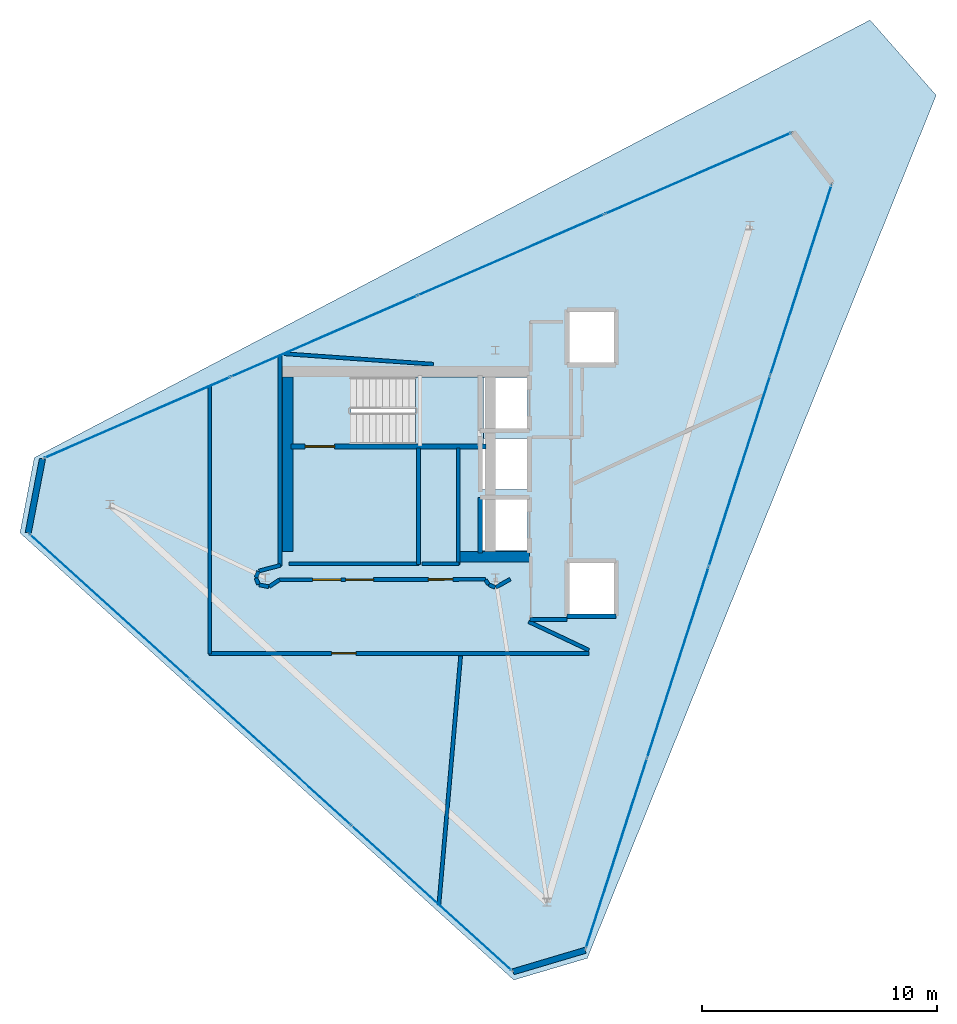
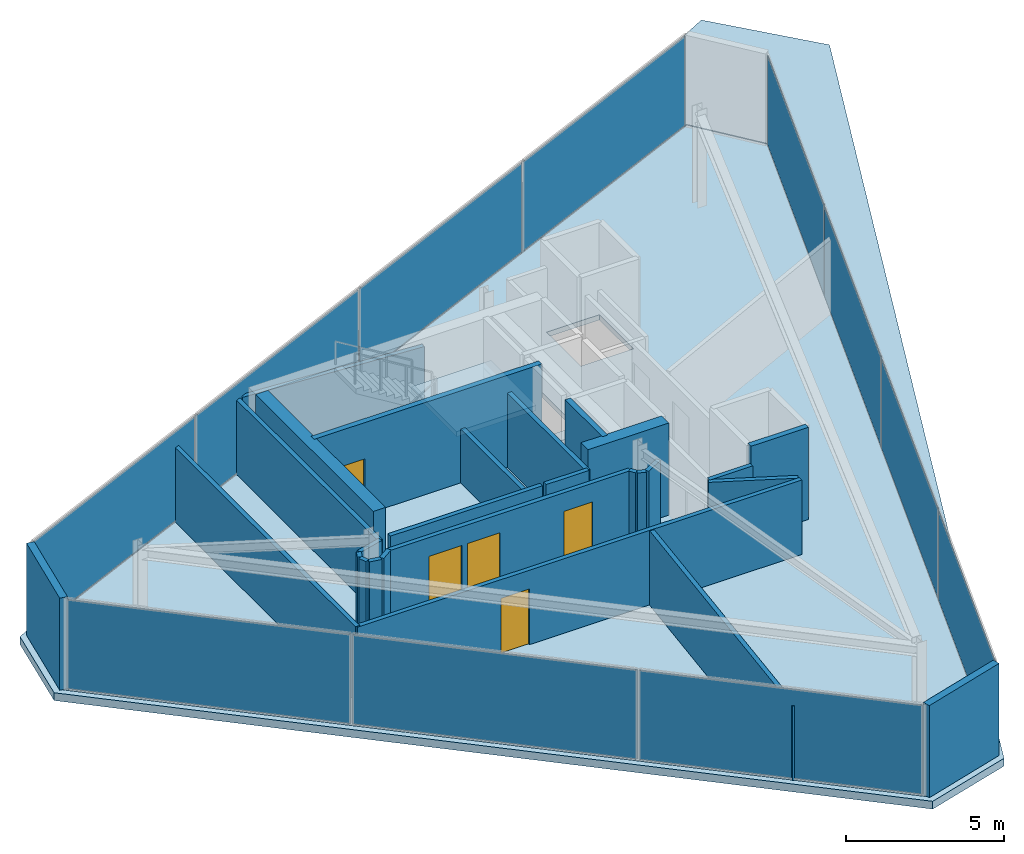
# One storey, part 12 of 14: 27 walls, 11 plates, 5 doors, 3 slabs, 5 openings, 4 elements without a shape of their own.
"""IFC4 building model written with IfcOpenShell, lengths in metres."""

from ifc_helpers import new_model, si_unit, direction, frame, frame_2d, origin, origin_2d, place, context, subcontext, project, spatial, polyline, rectangle, outline, extrude, material, layer, layer_set, type_object, element, fill, aggregate, save


model = new_model("IFC4")

# Units and contexts
model_context = context("Model", 3, precision=1e-05, world=origin(), true_north=direction((0.0, 1.0)))
body_context = subcontext(model_context, "Body", "Model", "MODEL_VIEW")
ifc_project = project(units=[si_unit("LENGTHUNIT", "METRE"), si_unit("AREAUNIT", "SQUARE_METRE"), si_unit("VOLUMEUNIT", "CUBIC_METRE"), si_unit("PLANEANGLEUNIT", "RADIAN"), si_unit("MASSUNIT", "GRAM", prefix="KILO")], contexts=[model_context])

# Site, building, storey
site_placement = place(None, origin())
site = spatial("IfcSite", under=ifc_project, at=site_placement, CompositionType="ELEMENT")
building_placement = place(site_placement, origin())
building = spatial("IfcBuilding", under=site, at=building_placement, Name="Qianvela Tower", CompositionType="ELEMENT")
storey_placement = place(building_placement, frame((0.0, 0.0, 356.300048828125)))
storey = spatial("IfcBuildingStorey", under=building, at=storey_placement, Name="L92", CompositionType="ELEMENT", Elevation=356.300048828125)

# Curtain wall, plates
ifc_material_1 = material(Name="Anodised Architectural Aluminium and Low-E Glass", Category="aluminium")
ifc_layer_1 = layer(ifc_material_1, 0.159912109375)
ifc_layer_set_1 = layer_set([ifc_layer_1], Name="Anodised Architectural Aluminium and Low-E Glass")
curtain_wall_type = type_object("IfcCurtainWallType", Name="CW-CROWN", PredefinedType="USERDEFINED", material=ifc_layer_set_1)
curtain_wall_1_placement = place(storey_placement, origin())
curtain_wall_1 = element("IfcCurtainWall", 1, at=curtain_wall_1_placement, inside=storey, type_object=curtain_wall_type, Name="L92 CW-CROWN Curtain Wall 02", ObjectType="CURTAIN_WALL_SYSTEM", PredefinedType="USERDEFINED")
ifc_material_2 = material(Name="Double-Silver Low-E Insulated Glass", Category="glass")
ifc_layer_2 = layer(ifc_material_2, 0.030029296875)
ifc_layer_set_2 = layer_set([ifc_layer_2], Name="Double-Silver Low-E Insulated Glass")
plate_type = type_object("IfcPlateType", Name="CW-CROWN-PNL", PredefinedType="CURTAIN_PANEL", material=ifc_layer_set_2)
plate_1_placement = place(storey_placement, frame((47.029541015625, 41.082763671875, 0.06005859375), z_axis=(0.0, 0.0, 1.0), x_axis=(-0.916857309159, -0.399215073165, 0.0)))
plate_1 = element("IfcPlate", 2, at=plate_1_placement, type_object=plate_type, Name="CW-8 panel 1.1", PredefinedType="CURTAIN_PANEL", context=body_context, shape_type="SweptSolid", body=[
    extrude(rectangle(XDim=8.596923828125, YDim=0.030029296875, at=origin_2d()), origin(), (0.0, 0.0, 1.0), 3.429931640625),
])
plate_2_placement = place(storey_placement, frame((39.072998046875, 37.618408203125, 0.06005859375), z_axis=(0.0, 0.0, 1.0), x_axis=(-0.916857309159, -0.399215073165, 0.0)))
plate_2 = element("IfcPlate", 3, at=plate_2_placement, type_object=plate_type, Name="CW-8 panel 2.1", PredefinedType="CURTAIN_PANEL", context=body_context, shape_type="SweptSolid", body=[
    extrude(rectangle(XDim=8.62939453125, YDim=0.030029296875, at=origin_2d()), origin(), (0.0, 0.0, 1.0), 3.429931640625),
])
plate_3_placement = place(storey_placement, frame((31.1015625, 34.1474609375, 0.06005859375), z_axis=(0.0, 0.0, 1.0), x_axis=(-0.916857309159, -0.399215073165, 0.0)))
plate_3 = element("IfcPlate", 4, at=plate_3_placement, type_object=plate_type, Name="CW-8 panel 3.1", PredefinedType="CURTAIN_PANEL", context=body_context, shape_type="SweptSolid", body=[
    extrude(rectangle(XDim=8.62939453125, YDim=0.030029296875, at=origin_2d()), origin(), (0.0, 0.0, 1.0), 3.429931640625),
])
plate_4_placement = place(storey_placement, frame((23.14501953125, 30.682861328125, 0.06005859375), z_axis=(0.0, 0.0, 1.0), x_axis=(-0.916857309159, -0.399215073165, 0.0)))
plate_4 = element("IfcPlate", 5, at=plate_4_placement, type_object=plate_type, Name="CW-8 panel 4.1", PredefinedType="CURTAIN_PANEL", context=body_context, shape_type="SweptSolid", body=[
    extrude(rectangle(XDim=8.596923828125, YDim=0.030029296875, at=origin_2d()), origin(), (0.0, 0.0, 1.0), 3.429931640625),
])
aggregate(curtain_wall_1, [plate_1, plate_2, plate_3, plate_4])

curtain_wall_2_placement = place(storey_placement, origin())
curtain_wall_2 = element("IfcCurtainWall", 6, at=curtain_wall_2_placement, inside=storey, type_object=curtain_wall_type, Name="L92 CW-CROWN Curtain Wall 04", ObjectType="CURTAIN_WALL_SYSTEM", PredefinedType="USERDEFINED")
plate_5_placement = place(storey_placement, frame((21.97216796875, 22.61865234375, 0.06005859375), z_axis=(0.0, 0.0, 1.0), x_axis=(0.741274513162, -0.671201978645, 0.0)))
plate_5 = element("IfcPlate", 7, at=plate_5_placement, type_object=plate_type, Name="CW-8 panel 1.1", PredefinedType="CURTAIN_PANEL", context=body_context, shape_type="SweptSolid", body=[
    extrude(rectangle(XDim=9.15966796875, YDim=0.030029296875, at=origin_2d()), origin(), (0.0, 0.0, 1.0), 3.429931640625),
])
plate_6_placement = place(storey_placement, frame((28.822021484375, 16.416259765625, 0.06005859375), z_axis=(0.0, 0.0, 1.0), x_axis=(0.741274513162, -0.671201978645, 0.0)))
plate_6 = element("IfcPlate", 8, at=plate_6_placement, type_object=plate_type, Name="CW-8 panel 2.1", PredefinedType="CURTAIN_PANEL", context=body_context, shape_type="SweptSolid", body=[
    extrude(rectangle(XDim=9.192138671875, YDim=0.030029296875, at=origin_2d()), origin(), (0.0, 0.0, 1.0), 3.429931640625),
])
plate_7_placement = place(storey_placement, frame((35.672119140625, 10.213623046875, 0.06005859375), z_axis=(0.0, 0.0, 1.0), x_axis=(0.741274513162, -0.671201978645, 0.0)))
plate_7 = element("IfcPlate", 9, at=plate_7_placement, type_object=plate_type, Name="CW-8 panel 3.1", PredefinedType="CURTAIN_PANEL", context=body_context, shape_type="SweptSolid", body=[
    extrude(rectangle(XDim=9.15966796875, YDim=0.030029296875, at=origin_2d()), origin(), (0.0, 0.0, 1.0), 3.429931640625),
])
aggregate(curtain_wall_2, [plate_5, plate_6, plate_7])

curtain_wall_3_placement = place(storey_placement, origin())
curtain_wall_3 = element("IfcCurtainWall", 10, at=curtain_wall_3_placement, inside=storey, type_object=curtain_wall_type, Name="L92 CW-CROWN Curtain Wall 06", ObjectType="CURTAIN_WALL_SYSTEM", PredefinedType="USERDEFINED")
plate_8_placement = place(storey_placement, frame((43.56005859375, 12.115966796875, 0.06005859375), z_axis=(0.0, 0.0, 1.0), x_axis=(0.306426077572, 0.951894457902, 0.0)))
plate_8 = element("IfcPlate", 11, at=plate_8_placement, type_object=plate_type, Name="CW-8 panel 1.1", PredefinedType="CURTAIN_PANEL", context=body_context, shape_type="SweptSolid", body=[
    extrude(rectangle(XDim=8.464111328125, YDim=0.030029296875, at=origin_2d()), origin(), (0.0, 0.0, 1.0), 3.429931640625),
])
plate_9_placement = place(storey_placement, frame((46.178466796875, 20.250244140625, 0.06005859375), z_axis=(0.0, 0.0, 1.0), x_axis=(0.306426077572, 0.951894457902, 0.0)))
plate_9 = element("IfcPlate", 12, at=plate_9_placement, type_object=plate_type, Name="CW-8 panel 2.1", PredefinedType="CURTAIN_PANEL", context=body_context, shape_type="SweptSolid", body=[
    extrude(rectangle(XDim=8.49658203125, YDim=0.030029296875, at=origin_2d()), origin(), (0.0, 0.0, 1.0), 3.429931640625),
])
plate_10_placement = place(storey_placement, frame((48.802001953125, 28.400146484375, 0.06005859375), z_axis=(0.0, 0.0, 1.0), x_axis=(0.306426077572, 0.951894457902, 0.0)))
plate_10 = element("IfcPlate", 13, at=plate_10_placement, type_object=plate_type, Name="CW-8 panel 3.1", PredefinedType="CURTAIN_PANEL", context=body_context, shape_type="SweptSolid", body=[
    extrude(rectangle(XDim=8.49658203125, YDim=0.030029296875, at=origin_2d()), origin(), (0.0, 0.0, 1.0), 3.429931640625),
])
plate_11_placement = place(storey_placement, frame((51.420654296875, 36.534423828125, 0.06005859375), z_axis=(0.0, 0.0, 1.0), x_axis=(0.306426077572, 0.951894457902, 0.0)))
plate_11 = element("IfcPlate", 14, at=plate_11_placement, type_object=plate_type, Name="CW-8 panel 4.1", PredefinedType="CURTAIN_PANEL", context=body_context, shape_type="SweptSolid", body=[
    extrude(rectangle(XDim=8.464111328125, YDim=0.030029296875, at=origin_2d()), origin(), (0.0, 0.0, 1.0), 3.429931640625),
])
aggregate(curtain_wall_3, [plate_8, plate_9, plate_10, plate_11])

# Slabs
ifc_material_3 = material(Name="Concrete C40", Category="concrete")
ifc_layer_3 = layer(ifc_material_3, 0.199951171875)
ifc_layer_set_3 = layer_set([ifc_layer_3], Name="Concrete C40")
slab_type_1 = type_object("IfcSlabType", Name="SL-CROWN-200", PredefinedType="FLOOR", material=ifc_layer_set_3)
slab_1_placement = place(storey_placement, frame((0.0, 0.0, -0.199951171875)))
element("IfcSlab", 15, at=slab_1_placement, inside=storey, type_object=slab_type_1, Name="L92 Composite Structural Floor Slab", PredefinedType="FLOOR", context=body_context, shape_type="SweptSolid", body=[
    extrude(outline(polyline([(52.752685546875, 40.67236328125), (51.076171875, 42.8447265625), (19.098388671875, 28.9208984375), (18.491943359375, 25.769775390625), (39.152099609375, 7.0625), (42.22802734375, 7.977783203125), (52.752685546875, 40.67236328125)]), holes=[polyline([(41.5400390625, 24.47998046875), (41.5400390625, 22.320068359375), (43.4599609375, 22.320068359375), (43.4599609375, 24.47998046875), (41.5400390625, 24.47998046875)]), polyline([(39.760009765625, 27.179931640625), (37.840087890625, 27.179931640625), (37.840087890625, 25.02001953125), (39.760009765625, 25.02001953125), (39.760009765625, 27.179931640625)]), polyline([(39.760009765625, 29.780029296875), (37.89990234375, 29.780029296875), (37.89990234375, 30.219970703125), (39.760009765625, 30.219970703125), (39.760009765625, 32.3798828125), (37.89990234375, 32.3798828125), (37.89990234375, 32.39990234375), (32.25, 32.39990234375), (32.25, 29.5400390625), (37.840087890625, 29.5400390625), (37.840087890625, 27.6201171875), (39.760009765625, 27.6201171875), (39.760009765625, 29.780029296875)]), polyline([(43.4599609375, 35.179931640625), (41.5400390625, 35.179931640625), (41.5400390625, 33.02001953125), (43.4599609375, 33.02001953125), (43.4599609375, 35.179931640625)])]), origin(), (0.0, 0.0, 1.0), 0.199951171875),
])
ifc_material_4 = material(Name="Concrete C40", Category="concrete")
ifc_layer_4 = layer(ifc_material_4, 0.300048828125)
ifc_layer_set_4 = layer_set([ifc_layer_4], Name="Concrete C40")
slab_type_2 = type_object("IfcSlabType", Name="SL-POD-ROOF-300", PredefinedType="ROOF", material=ifc_layer_set_4)
slab_2_placement = place(storey_placement, frame((0.0, 0.0, -0.300048828125)))
element("IfcSlab", 16, at=slab_2_placement, inside=storey, type_object=slab_type_2, Name="L92 Sky-Lounge Setback Structural Roof Slab 1", PredefinedType="ROOF", context=body_context, shape_type="SweptSolid", body=[
    extrude(outline(polyline([(57.185302734375, 44.41455078125), (54.3642578125, 47.62353515625), (18.752685546875, 28.975830078125), (18.141845703125, 25.765625), (39.1826171875, 6.7138671875), (42.31689453125, 7.639404296875), (57.185302734375, 44.41455078125)]), holes=[polyline([(52.777099609375, 40.6669921875), (52.777587890625, 40.66943359375), (52.777587890625, 40.671875), (52.777587890625, 40.67431640625), (52.77734375, 40.6767578125), (52.77685546875, 40.67919921875), (52.77587890625, 40.681396484375), (52.775146484375, 40.68359375), (52.77392578125, 40.685791015625), (52.7724609375, 40.687744140625), (51.095947265625, 42.860107421875), (51.09423828125, 42.86181640625), (51.09228515625, 42.86376953125), (51.09033203125, 42.865234375), (51.088134765625, 42.86669921875), (51.0859375, 42.86767578125), (51.08349609375, 42.86865234375), (51.0810546875, 42.869140625), (51.07861328125, 42.86962890625), (51.075927734375, 42.86962890625), (51.073486328125, 42.86962890625), (51.071044921875, 42.869140625), (51.068603515625, 42.868408203125), (51.066162109375, 42.86767578125), (19.08837890625, 28.94384765625), (19.086181640625, 28.94287109375), (19.084228515625, 28.941650390625), (19.08251953125, 28.940185546875), (19.08056640625, 28.9384765625), (19.0791015625, 28.9365234375), (19.07763671875, 28.934814453125), (19.076416015625, 28.9326171875), (19.0751953125, 28.930419921875), (19.074462890625, 28.927978515625), (19.073974609375, 28.92578125), (18.46728515625, 25.7744140625), (18.467041015625, 25.77197265625), (18.466796875, 25.769287109375), (18.467041015625, 25.766845703125), (18.467529296875, 25.764404296875), (18.46826171875, 25.761962890625), (18.468994140625, 25.759521484375), (18.47021484375, 25.757080078125), (18.4716796875, 25.755126953125), (18.473388671875, 25.753173828125), (18.47509765625, 25.751220703125), (39.135498046875, 7.0439453125), (39.137451171875, 7.042236328125), (39.139404296875, 7.041015625), (39.141845703125, 7.039794921875), (39.144287109375, 7.038818359375), (39.146728515625, 7.0380859375), (39.149169921875, 7.03759765625), (39.151611328125, 7.03759765625), (39.154296875, 7.03759765625), (39.15673828125, 7.037841796875), (39.1591796875, 7.03857421875), (42.235107421875, 7.953857421875), (42.2373046875, 7.95458984375), (42.239501953125, 7.955810546875), (42.24169921875, 7.95703125), (42.24365234375, 7.95849609375), (42.24560546875, 7.9599609375), (42.2470703125, 7.9619140625), (42.24853515625, 7.963623046875), (42.25, 7.9658203125), (42.2509765625, 7.968017578125), (42.251708984375, 7.97021484375), (52.776611328125, 40.664794921875), (52.777099609375, 40.6669921875)])]), origin(), (0.0, 0.0, 1.0), 0.300048828125),
])

# Stair, slab
ifc_material_5 = material(Name="Concrete C40", Category="concrete")
stair_type = type_object("IfcStairType", Name="ST-DOGLEG-1350-R170-N22", PredefinedType="HALF_TURN_STAIR", material=ifc_material_5)
stair_placement = place(storey_placement, origin())
stair = element("IfcStair", 17, at=stair_placement, inside=storey, type_object=stair_type, Name="L92 Smoke-Proof Core Stair ST-1", PredefinedType="HALF_TURN_STAIR")
ifc_material_6 = material(Name="Concrete C40", Category="concrete")
ifc_layer_5 = layer(ifc_material_6, 0.199951171875)
ifc_layer_set_5 = layer_set([ifc_layer_5], Name="Concrete C40")
slab_type_3 = type_object("IfcSlabType", Name="SL-STAIR-LANDING-200", PredefinedType="LANDING", material=ifc_layer_set_5)
slab_3_placement = place(storey_placement, frame((0.0, 0.0, 1.675048828125)))
slab_3 = element("IfcSlab", 18, at=slab_3_placement, type_object=slab_type_3, Name="ST-1 landing 1", PredefinedType="LANDING", context=body_context, shape_type="SweptSolid", body=[
    extrude(outline(polyline([(35.0, 29.5400390625), (37.89990234375, 29.5400390625), (37.89990234375, 32.39990234375), (35.0, 32.39990234375), (35.0, 29.5400390625)])), origin(), (0.0, 0.0, 1.0), 0.199951171875),
])
aggregate(stair, [slab_3])

# Walls
ifc_material_7 = material(Name="Terracotta Cladding on Concrete C40", Category="masonry")
ifc_layer_6 = layer(ifc_material_7, 0.260009765625)
ifc_layer_set_6 = layer_set([ifc_layer_6], Name="Terracotta Cladding on Concrete C40")
wall_type_1 = type_object("IfcWallType", Name="TERRACOTTA-WALL-260", PredefinedType="SOLIDWALL", material=ifc_layer_set_6)
wall_1_placement = place(storey_placement, frame((19.098388671875, 28.9208984375, 0.0), z_axis=(0.0, 0.0, 1.0), x_axis=(-0.188985662005, -0.981979846818, 0.0)))
element("IfcWall", 19, at=wall_1_placement, inside=storey, type_object=wall_type_1, Name="L92 Crown Terracotta Cladding Wall 3", PredefinedType="SOLIDWALL", context=body_context, shape_type="SweptSolid", body=[
    extrude(rectangle(XDim=3.208984375, YDim=0.260009765625, at=frame_2d((1.6044921875, 0.0))), origin(), (0.0, 0.0, 1.0), 3.550048828125),
])
wall_2_placement = place(storey_placement, frame((39.152099609375, 7.0625, 0.0), z_axis=(0.0, 0.0, 1.0), x_axis=(0.958466686006, 0.285204508758, 0.0)))
element("IfcWall", 20, at=wall_2_placement, inside=storey, type_object=wall_type_1, Name="L92 Crown Terracotta Cladding Wall 5", PredefinedType="SOLIDWALL", context=body_context, shape_type="SweptSolid", body=[
    extrude(rectangle(XDim=3.209228515625, YDim=0.260009765625, at=frame_2d((1.6044921875, 0.0))), origin(), (0.0, 0.0, 1.0), 3.550048828125),
])
ifc_material_8 = material(Name="Concrete C50", Category="concrete")
ifc_layer_7 = layer(ifc_material_8, 0.449951171875)
ifc_layer_set_7 = layer_set([ifc_layer_7], Name="Concrete C50")
wall_type_2 = type_object("IfcWallType", Name="WT-CORE-450", PredefinedType="SHEAR", material=ifc_layer_set_7)
wall_3_placement = place(storey_placement, frame((36.89990234375, 24.7548828125, 0.0), z_axis=(0.0, 0.0, 1.0), x_axis=(1.0, 0.0, 0.0)))
element("IfcWall", 21, at=wall_3_placement, inside=storey, type_object=wall_type_2, Name="L92 South Core Shear Wall", PredefinedType="SHEAR", context=body_context, shape_type="SweptSolid", body=[
    extrude(rectangle(XDim=2.9501953125, YDim=0.449951171875, at=frame_2d((1.47509765625, 0.0))), origin(), (0.0, 0.0, 1.0), 3.550048828125),
])
wall_4_placement = place(storey_placement, frame((29.554931640625, 24.97998046875, 0.0), z_axis=(0.0, 0.0, 1.0), x_axis=(0.0, 1.0, 0.0)))
element("IfcWall", 22, at=wall_4_placement, inside=storey, type_object=wall_type_2, Name="L92 West Core Shear Wall", PredefinedType="SHEAR", context=body_context, shape_type="SweptSolid", body=[
    extrude(rectangle(XDim=7.43994140625, YDim=0.449951171875, at=frame_2d((3.719970703125, 0.0))), origin(), (0.0, 0.0, 1.0), 3.550048828125),
])
ifc_material_9 = material(Name="Fire-Rated Gypsum and Concrete Block", Category="concrete")
ifc_layer_8 = layer(ifc_material_9, 0.159912109375)
ifc_layer_set_8 = layer_set([ifc_layer_8], Name="Fire-Rated Gypsum and Concrete Block")
wall_type_3 = type_object("IfcWallType", Name="WT-CORR-160", PredefinedType="PARTITIONING", material=ifc_layer_set_8)
wall_5_placement = place(storey_placement, frame((35.14990234375, 24.450927734375, 0.0), z_axis=(0.0, 0.0, 1.0), x_axis=(-1.0, 0.0, 0.0)))
element("IfcWall", 23, at=wall_5_placement, inside=storey, type_object=wall_type_3, Name="L92 Partition 1", PredefinedType="PARTITIONING", context=body_context, shape_type="SweptSolid", body=[
    extrude(rectangle(XDim=5.5498046875, YDim=0.159912109375, at=frame_2d((2.77490234375, 0.0))), origin(), (0.0, 0.0, 1.0), 2.869873046875),
])
wall_6_placement = place(storey_placement, frame((35.118896484375, 29.3798828125, 0.0), z_axis=(0.0, 0.0, 1.0), x_axis=(0.0, -1.0, 0.0)))
element("IfcWall", 24, at=wall_6_placement, inside=storey, type_object=wall_type_3, Name="L92 Partition 4", PredefinedType="PARTITIONING", context=body_context, shape_type="SweptSolid", body=[
    extrude(rectangle(XDim=4.9599609375, YDim=0.159912109375, at=frame_2d((2.47998046875, 0.0))), origin(), (0.0, 0.0, 1.0), 2.079833984375),
])
for number, where, z_axis, x_axis, name in (
    (25, (41.449951171875, 22.0810546875, 0.0), (0.0, 0.0, 1.0), (-1.0, 0.0, 0.0), "L92 Partition 7 seg 1"),
    (26, (36.85009765625, 24.450927734375, 0.0), (0.0, 0.0, 1.0), (-1.0, 0.0, 0.0), "L92 Partition 13"),
):
    element("IfcWall", number, at=place(storey_placement, frame(where, z_axis=z_axis, x_axis=x_axis)), inside=storey, type_object=wall_type_3, Name=name, PredefinedType="PARTITIONING", context=body_context, shape_type="SweptSolid", body=[
        extrude(rectangle(XDim=1.570068359375, YDim=0.159912109375, at=frame_2d((0.78515625, 0.0))), origin(), (0.0, 0.0, 1.0), 2.869873046875),
    ])
wall_7_placement = place(storey_placement, frame((36.819091796875, 29.3798828125, 0.0), z_axis=(0.0, 0.0, 1.0), x_axis=(0.0, -1.0, 0.0)))
element("IfcWall", 27, at=wall_7_placement, inside=storey, type_object=wall_type_3, Name="L92 Partition 16", PredefinedType="PARTITIONING", context=body_context, shape_type="SweptSolid", body=[
    extrude(rectangle(XDim=4.9599609375, YDim=0.159912109375, at=frame_2d((2.47998046875, 0.0))), origin(), (0.0, 0.0, 1.0), 2.869873046875),
])
wall_8_placement = place(storey_placement, frame((29.2421875, 24.38427734375, 0.0), z_axis=(0.0, 0.0, 1.0), x_axis=(-0.967554205956, -0.252663528309, 0.0)))
element("IfcWall", 28, at=wall_8_placement, inside=storey, type_object=wall_type_3, Name="L92 Partition 17", PredefinedType="PARTITIONING", context=body_context, shape_type="SweptSolid", body=[
    extrude(rectangle(XDim=0.946044921875, YDim=0.159912109375, at=frame_2d((0.47314453125, 0.0))), origin(), (0.0, 0.0, 1.0), 2.869873046875),
])
for number, where, z_axis, x_axis, name in (
    (29, (28.30615234375, 24.126953125, 0.0), (0.0, 0.0, 1.0), (-0.382802560388, -0.92383017907, 0.0), "L92 Partition 18"),
    (30, (28.1962890625, 23.838134765625, 0.0), (0.0, 0.0, 1.0), (0.382802560388, -0.92383017907, 0.0), "L92 Partition 19"),
):
    element("IfcWall", number, at=place(storey_placement, frame(where, z_axis=z_axis, x_axis=x_axis)), inside=storey, type_object=wall_type_3, Name=name, PredefinedType="PARTITIONING", context=body_context, shape_type="SweptSolid", body=[
        extrude(rectangle(XDim=0.287109375, YDim=0.159912109375, at=frame_2d((0.1435546875, 0.0))), origin(), (0.0, 0.0, 1.0), 2.869873046875),
    ])
wall_9_placement = place(storey_placement, frame((28.328857421875, 23.554443359375, 0.0), z_axis=(0.0, 0.0, 1.0), x_axis=(0.980782960085, -0.195101986683, 0.0)))
element("IfcWall", 31, at=wall_9_placement, inside=storey, type_object=wall_type_3, Name="L92 Partition 20", PredefinedType="PARTITIONING", context=body_context, shape_type="SweptSolid", body=[
    extrude(rectangle(XDim=0.416748046875, YDim=0.159912109375, at=frame_2d((0.20849609375, 0.0))), origin(), (0.0, 0.0, 1.0), 2.869873046875),
])
wall_10_placement = place(storey_placement, frame((28.7607421875, 23.477783203125, 0.0), z_axis=(0.0, 0.0, 1.0), x_axis=(0.831482899293, 0.555550347118, 0.0)))
element("IfcWall", 32, at=wall_10_placement, inside=storey, type_object=wall_type_3, Name="L92 Partition 21", PredefinedType="PARTITIONING", context=body_context, shape_type="SweptSolid", body=[
    extrude(rectangle(XDim=0.530029296875, YDim=0.159912109375, at=frame_2d((0.26513671875, 0.0))), origin(), (0.0, 0.0, 1.0), 2.869873046875),
])

# Wall, openings, doors
wall_11_placement = place(storey_placement, frame((29.184326171875, 23.76708984375, 0.0), z_axis=(0.0, 0.0, 1.0), x_axis=(0.999996878137, 0.002498742824, 0.0)))
wall_11 = element("IfcWall", 33, at=wall_11_placement, inside=storey, type_object=wall_type_3, Name="L92 Partition 22", PredefinedType="PARTITIONING", context=body_context, shape_type="SweptSolid", body=[
    extrude(rectangle(XDim=8.79345703125, YDim=0.159912109375, at=frame_2d((4.396728515625, 0.0))), origin(), (0.0, 0.0, 1.0), 2.869873046875),
])
opening_1_placement = place(wall_11_placement, frame((2.8310546875, 0.0, 0.0)))
opening_1 = element("IfcOpeningElement", 34, at=opening_1_placement, cuts=wall_11, Name="Opening D-LB1", PredefinedType="OPENING", context=body_context, shape_type="SweptSolid", body=[
    extrude(rectangle(XDim=1.199951171875, YDim=2.14990234375, at=frame_2d((0.60009765625, 1.074951171875))), frame((0.0, 0.08984375, 0.0), z_axis=(0.0, -1.0, 0.0), x_axis=(1.0, 0.0, 0.0)), (0.0, 0.0, 1.0), 0.179931640625),
])
opening_2_placement = place(wall_11_placement, frame((6.35888671875, 0.0, 0.0)))
opening_2 = element("IfcOpeningElement", 35, at=opening_2_placement, cuts=wall_11, Name="Opening D-PL1", PredefinedType="OPENING", context=body_context, shape_type="SweptSolid", body=[
    extrude(rectangle(XDim=1.050048828125, YDim=2.14990234375, at=frame_2d((0.52490234375, 1.074951171875))), frame((0.0, 0.08984375, 0.0), z_axis=(0.0, -1.0, 0.0), x_axis=(1.0, 0.0, 0.0)), (0.0, 0.0, 1.0), 0.179931640625),
])
opening_3_placement = place(wall_11_placement, frame((1.430908203125, 0.0, 0.0)))
opening_3 = element("IfcOpeningElement", 36, at=opening_3_placement, cuts=wall_11, Name="Opening D-LB1", PredefinedType="OPENING", context=body_context, shape_type="SweptSolid", body=[
    extrude(rectangle(XDim=1.199951171875, YDim=2.14990234375, at=frame_2d((0.60009765625, 1.074951171875))), frame((0.0, 0.08984375, 0.0), z_axis=(0.0, -1.0, 0.0), x_axis=(1.0, 0.0, 0.0)), (0.0, 0.0, 1.0), 0.179931640625),
])
ifc_material_10 = material(Name="Glazed Fire-Rated Steel Frame", Category="steel")
door_type_1 = type_object("IfcDoorType", Name="DT-LOBBY-FD90", OperationType="NOTDEFINED", PredefinedType="DOOR", material=ifc_material_10)
door_1_placement = place(opening_1_placement, origin())
door_1 = element("IfcDoor", 37, at=door_1_placement, inside=storey, type_object=door_type_1, Name="L92 Door L92 Firefighting Lobby North to L92 Crown Maintenance Corridor", OperationType="SINGLE_SWING_RIGHT", OverallHeight=2.14990234375, OverallWidth=1.199951171875, PredefinedType="DOOR", context=body_context, shape_type="SweptSolid", body=[
    extrude(rectangle(XDim=1.199951171875, YDim=2.14990234375, at=frame_2d((0.60009765625, 1.074951171875))), frame((0.0, 0.02490234375, 0.0), z_axis=(0.0, -1.0, 0.0), x_axis=(1.0, 0.0, 0.0)), (0.0, 0.0, 1.0), 0.050048828125),
])
fill(opening_1, door_1)
door_2_placement = place(opening_3_placement, origin())
door_2 = element("IfcDoor", 38, at=door_2_placement, inside=storey, type_object=door_type_1, Name="L92 Door L92 Firefighting Lobby North to L92 Crown Maintenance Corridor", OperationType="SINGLE_SWING_LEFT", OverallHeight=2.14990234375, OverallWidth=1.199951171875, PredefinedType="DOOR", context=body_context, shape_type="SweptSolid", body=[
    extrude(rectangle(XDim=1.199951171875, YDim=2.14990234375, at=frame_2d((0.60009765625, 1.074951171875))), frame((0.0, 0.02490234375, 0.0), z_axis=(0.0, -1.0, 0.0), x_axis=(1.0, 0.0, 0.0)), (0.0, 0.0, 1.0), 0.050048828125),
])
fill(opening_3, door_2)
ifc_material_11 = material(Name="Insulated Steel Fire Door Q355B", Category="steel")
door_type_2 = type_object("IfcDoorType", Name="DT-PLANT-FD90", OperationType="NOTDEFINED", PredefinedType="DOOR", material=ifc_material_11)
door_3_placement = place(opening_2_placement, origin())
door_3 = element("IfcDoor", 39, at=door_3_placement, inside=storey, type_object=door_type_2, Name="L92 Door L92 Crown Electrical Switch Room to L92 Crown Maintenance Corridor", OperationType="SINGLE_SWING_RIGHT", OverallHeight=2.14990234375, OverallWidth=1.050048828125, PredefinedType="DOOR", context=body_context, shape_type="SweptSolid", body=[
    extrude(rectangle(XDim=1.050048828125, YDim=2.14990234375, at=frame_2d((0.52490234375, 1.074951171875))), frame((0.0, 0.02490234375, 0.0), z_axis=(0.0, -1.0, 0.0), x_axis=(1.0, 0.0, 0.0)), (0.0, 0.0, 1.0), 0.050048828125),
])
fill(opening_2, door_3)

# Walls
wall_12_placement = place(storey_placement, frame((37.977783203125, 23.763916015625, 0.0), z_axis=(0.0, 0.0, 1.0), x_axis=(0.556130652598, -0.831094878604, 0.0)))
element("IfcWall", 40, at=wall_12_placement, inside=storey, type_object=wall_type_3, Name="L92 Partition 23", PredefinedType="PARTITIONING", context=body_context, shape_type="SweptSolid", body=[
    extrude(rectangle(XDim=0.236083984375, YDim=0.159912109375, at=frame_2d((0.1181640625, 0.0))), origin(), (0.0, 0.0, 1.0), 2.869873046875),
])
wall_13_placement = place(storey_placement, frame((38.123046875, 23.55615234375, 0.0), z_axis=(0.0, 0.0, 1.0), x_axis=(0.92383017907, -0.382802560388, 0.0)))
element("IfcWall", 41, at=wall_13_placement, inside=storey, type_object=wall_type_3, Name="L92 Partition 24", PredefinedType="PARTITIONING", context=body_context, shape_type="SweptSolid", body=[
    extrude(rectangle(XDim=0.287109375, YDim=0.159912109375, at=frame_2d((0.1435546875, 0.0))), origin(), (0.0, 0.0, 1.0), 2.869873046875),
])
wall_14_placement = place(storey_placement, frame((38.4150390625, 23.447998046875, 0.0), z_axis=(0.0, 0.0, 1.0), x_axis=(0.872599584194, 0.488436245241, 0.0)))
element("IfcWall", 42, at=wall_14_placement, inside=storey, type_object=wall_type_3, Name="L92 Partition 25", PredefinedType="PARTITIONING", context=body_context, shape_type="SweptSolid", body=[
    extrude(rectangle(XDim=0.711669921875, YDim=0.159912109375, at=frame_2d((0.35595703125, 0.0))), origin(), (0.0, 0.0, 1.0), 2.869873046875),
])
wall_15_placement = place(storey_placement, frame((39.81884765625, 21.982666015625, 0.0), z_axis=(0.0, 0.0, 1.0), x_axis=(0.903977450813, -0.427580130994, 0.0)))
element("IfcWall", 43, at=wall_15_placement, inside=storey, type_object=wall_type_3, Name="L92 Partition 28", PredefinedType="PARTITIONING", context=body_context, shape_type="SweptSolid", body=[
    extrude(rectangle(XDim=2.840576171875, YDim=0.159912109375, at=frame_2d((1.42041015625, 0.0))), origin(), (0.0, 0.0, 1.0), 2.869873046875),
])

# Wall, opening, door
wall_16_placement = place(storey_placement, frame((42.39990234375, 20.631103515625, 0.0), z_axis=(0.0, 0.0, 1.0), x_axis=(-1.0, 0.0, 0.0)))
wall_16 = element("IfcWall", 44, at=wall_16_placement, inside=storey, type_object=wall_type_3, Name="L92 Partition 29", PredefinedType="PARTITIONING", context=body_context, shape_type="SweptSolid", body=[
    extrude(rectangle(XDim=16.199951171875, YDim=0.159912109375, at=frame_2d((8.10009765625, 0.0))), origin(), (0.0, 0.0, 1.0), 2.869873046875),
])
opening_4_placement = place(wall_16_placement, frame((9.929443359375, 0.0, 0.0)))
opening_4 = element("IfcOpeningElement", 45, at=opening_4_placement, cuts=wall_16, Name="Opening D-PL1", PredefinedType="OPENING", context=body_context, shape_type="SweptSolid", body=[
    extrude(rectangle(XDim=1.050048828125, YDim=2.14990234375, at=frame_2d((0.52490234375, 1.074951171875))), frame((0.0, 0.08984375, 0.0), z_axis=(0.0, -1.0, 0.0), x_axis=(1.0, 0.0, 0.0)), (0.0, 0.0, 1.0), 0.179931640625),
])
door_4_placement = place(opening_4_placement, origin())
door_4 = element("IfcDoor", 46, at=door_4_placement, inside=storey, type_object=door_type_2, Name="L92 Door L92 Heat Recovery Ventilation Plant Room to L92 Crown Maintenance Corridor", OperationType="SINGLE_SWING_RIGHT", OverallHeight=2.14990234375, OverallWidth=1.050048828125, PredefinedType="DOOR", context=body_context, shape_type="SweptSolid", body=[
    extrude(rectangle(XDim=1.050048828125, YDim=2.14990234375, at=frame_2d((0.52490234375, 1.074951171875))), frame((0.0, 0.02490234375, 0.0), z_axis=(0.0, -1.0, 0.0), x_axis=(1.0, 0.0, 0.0)), (0.0, 0.0, 1.0), 0.050048828125),
])
fill(opening_4, door_4)

# Walls
wall_17_placement = place(storey_placement, frame((26.23095703125, 20.60009765625, 0.0), z_axis=(0.0, 0.0, 1.0), x_axis=(0.0, 1.0, 0.0)))
element("IfcWall", 47, at=wall_17_placement, inside=storey, type_object=wall_type_3, Name="L92 Partition 30", PredefinedType="PARTITIONING", context=body_context, shape_type="SweptSolid", body=[
    extrude(rectangle(XDim=11.446533203125, YDim=0.159912109375, at=frame_2d((5.72314453125, 0.0))), origin(), (0.0, 0.0, 1.0), 2.869873046875),
])
wall_18_placement = place(storey_placement, frame((29.218994140625, 33.34765625, 0.0), z_axis=(0.0, 0.0, 1.0), x_axis=(0.0, -1.0, 0.0)))
element("IfcWall", 48, at=wall_18_placement, inside=storey, type_object=wall_type_3, Name="L92 Partition 32", PredefinedType="PARTITIONING", context=body_context, shape_type="SweptSolid", body=[
    extrude(rectangle(XDim=8.993408203125, YDim=0.159912109375, at=frame_2d((4.49658203125, 0.0))), origin(), (0.0, 0.0, 1.0), 2.869873046875),
])
wall_19_placement = place(storey_placement, frame((36.91943359375, 20.522705078125, 0.0), z_axis=(0.0, 0.0, 1.0), x_axis=(-0.087148482425, -0.996195333261, 0.0)))
element("IfcWall", 49, at=wall_19_placement, inside=storey, type_object=wall_type_3, Name="L92 Partition 36", PredefinedType="PARTITIONING", context=body_context, shape_type="SweptSolid", body=[
    extrude(rectangle(XDim=10.659423828125, YDim=0.159912109375, at=frame_2d((5.32958984375, 0.0))), origin(), (0.0, 0.0, 1.0), 2.869873046875),
])
wall_20_placement = place(storey_placement, frame((35.755615234375, 32.955078125, 0.0), z_axis=(0.0, 0.0, 1.0), x_axis=(-0.997543619883, 0.070048029454, 0.0)))
element("IfcWall", 50, at=wall_20_placement, inside=storey, type_object=wall_type_3, Name="L92 Partition 54 seg 1", PredefinedType="PARTITIONING", context=body_context, shape_type="SweptSolid", body=[
    extrude(rectangle(XDim=6.381591796875, YDim=0.159912109375, at=frame_2d((3.19091796875, 0.0))), origin(), (0.0, 0.0, 1.0), 2.869873046875),
])

# Wall, opening, door
ifc_material_12 = material(Name="Concrete C50", Category="concrete")
ifc_layer_9 = layer(ifc_material_12, 0.199951171875)
ifc_layer_set_9 = layer_set([ifc_layer_9], Name="Concrete C50")
wall_type_4 = type_object("IfcWallType", Name="WT-SHAFT-200", PredefinedType="SOLIDWALL", material=ifc_layer_set_9)
wall_21_placement = place(storey_placement, frame((29.699951171875, 29.449951171875, 0.0), z_axis=(0.0, 0.0, 1.0), x_axis=(1.0, 0.0, 0.0)))
wall_21 = element("IfcWall", 51, at=wall_21_placement, inside=storey, type_object=wall_type_4, Name="L92 Stair ST-1 South Wall", PredefinedType="SOLIDWALL", context=body_context, shape_type="SweptSolid", body=[
    extrude(rectangle(XDim=8.300048828125, YDim=0.199951171875, at=frame_2d((4.14990234375, 0.0))), origin(), (0.0, 0.0, 1.0), 3.550048828125),
])
opening_5_placement = place(wall_21_placement, frame((0.594970703125, 0.0, 0.0)))
opening_5 = element("IfcOpeningElement", 52, at=opening_5_placement, cuts=wall_21, Name="Opening D-ST1", PredefinedType="OPENING", context=body_context, shape_type="SweptSolid", body=[
    extrude(rectangle(XDim=1.25, YDim=2.14990234375, at=frame_2d((0.625, 1.074951171875))), frame((0.0, 0.10986328125, 0.0), z_axis=(0.0, -1.0, 0.0), x_axis=(1.0, 0.0, 0.0)), (0.0, 0.0, 1.0), 0.219970703125),
])
ifc_material_13 = material(Name="Galvanised Fire Steel Q355B", Category="steel")
door_type_3 = type_object("IfcDoorType", Name="DT-STAIR-FD90", OperationType="NOTDEFINED", PredefinedType="DOOR", material=ifc_material_13)
door_5_placement = place(opening_5_placement, origin())
door_5 = element("IfcDoor", 53, at=door_5_placement, inside=storey, type_object=door_type_3, Name="L92 Stair ST-1 Exit Door", OperationType="SINGLE_SWING_RIGHT", OverallHeight=2.14990234375, OverallWidth=1.25, PredefinedType="DOOR", context=body_context, shape_type="SweptSolid", body=[
    extrude(rectangle(XDim=1.25, YDim=2.14990234375, at=frame_2d((0.625, 1.074951171875))), frame((0.0, 0.02490234375, 0.0), z_axis=(0.0, -1.0, 0.0), x_axis=(1.0, 0.0, 0.0)), (0.0, 0.0, 1.0), 0.050048828125),
])
fill(opening_5, door_5)

# Walls
wall_22_placement = place(storey_placement, frame((37.75, 24.919921875, 0.0), z_axis=(0.0, 0.0, 1.0), x_axis=(0.0, 1.0, 0.0)))
element("IfcWall", 54, at=wall_22_placement, inside=storey, type_object=wall_type_4, Name="L92 Lift FL-2 W Shaft Wall", PredefinedType="SOLIDWALL", context=body_context, shape_type="SweptSolid", body=[
    extrude(rectangle(XDim=2.360107421875, YDim=0.199951171875, at=frame_2d((1.18017578125, 0.0))), origin(), (0.0, 0.0, 1.0), 3.550048828125),
])
wall_23_placement = place(storey_placement, frame((41.449951171875, 22.219970703125, 0.0), z_axis=(0.0, 0.0, 1.0), x_axis=(1.0, 0.0, 0.0)))
element("IfcWall", 55, at=wall_23_placement, inside=storey, type_object=wall_type_4, Name="L92 Lift PL-H2 S Shaft Wall", PredefinedType="SOLIDWALL", context=body_context, shape_type="SweptSolid", body=[
    extrude(rectangle(XDim=2.10009765625, YDim=0.199951171875, at=frame_2d((1.050048828125, 0.0))), origin(), (0.0, 0.0, 1.0), 3.550048828125),
])

save(model, "model.ifc")
